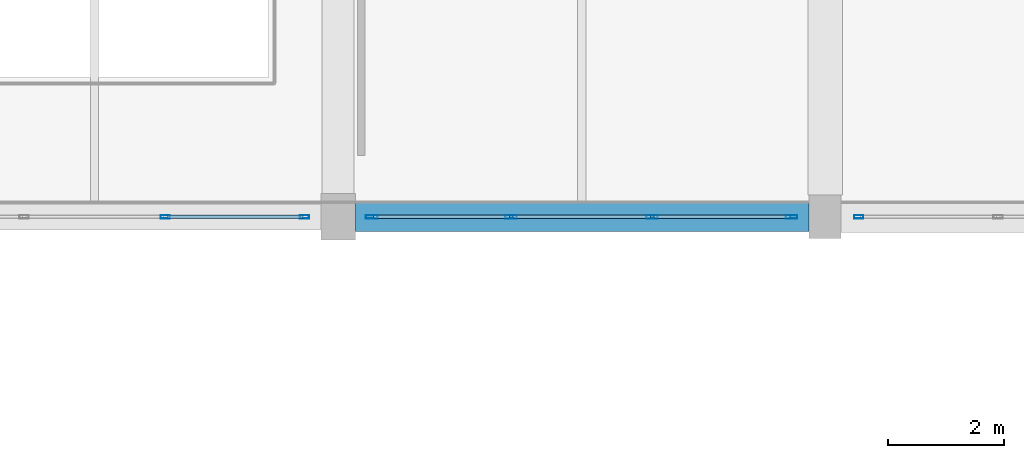
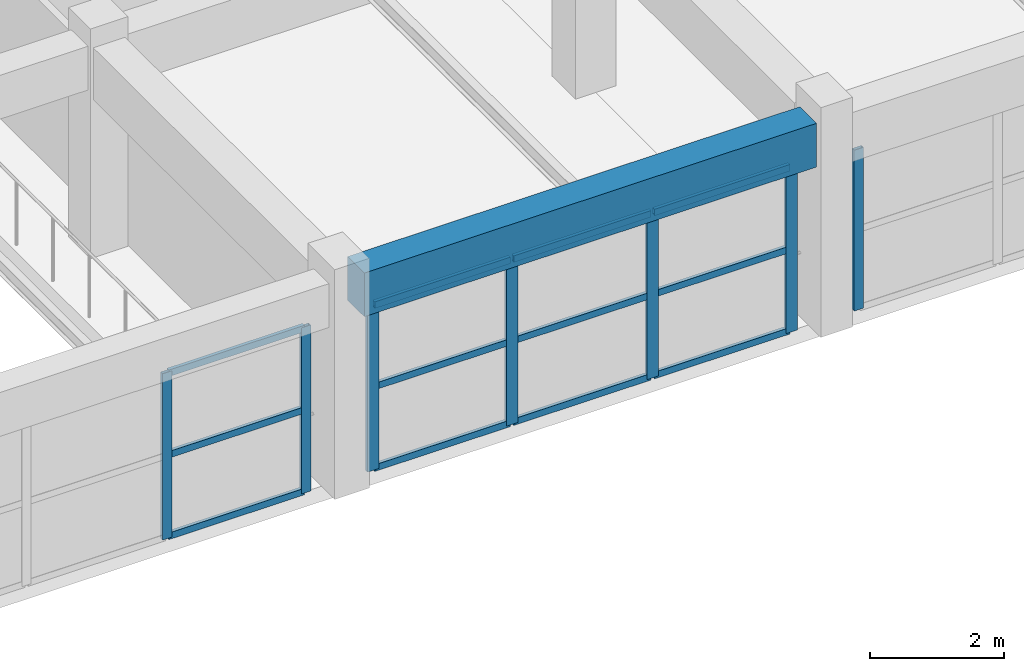
# One storey, part 16 of 71: 19 members, 1 beam, 3 elements without a shape of their own.
"""IFC4 building model written with IfcOpenShell, lengths in metres."""

from ifc_helpers import new_model, si_unit, direction, frame, origin, origin_2d, place, context, subcontext, project, spatial, rectangle, hollow_rectangle, extrude, material, material_profile, profile_set, type_object, element, aggregate, save


model = new_model("IFC4")

# Units and contexts
model_context = context("Model", 3, precision=1e-05, world=origin(), true_north=direction((0.0, 1.0)))
body_context = subcontext(model_context, "Body", "Model", "MODEL_VIEW")
ifc_project = project(units=[si_unit("LENGTHUNIT", "METRE"), si_unit("AREAUNIT", "SQUARE_METRE"), si_unit("VOLUMEUNIT", "CUBIC_METRE"), si_unit("PLANEANGLEUNIT", "RADIAN"), si_unit("MASSUNIT", "GRAM", prefix="KILO")], contexts=[model_context])

# Site, building, storey
site_placement = place(None, origin())
site = spatial("IfcSite", under=ifc_project, at=site_placement, CompositionType="ELEMENT")
building_placement = place(site_placement, origin())
building = spatial("IfcBuilding", under=site, at=building_placement, Name="Korsvaeld Concert Hall", CompositionType="ELEMENT")
storey_placement = place(building_placement, frame((0.0, 0.0, 4.800048828125)))
storey = spatial("IfcBuildingStorey", under=building, at=storey_placement, Name="L01", CompositionType="ELEMENT", Elevation=4.800048828125)

# Beam
ifc_material_1 = material(Name="Concrete C40/50", Category="concrete")
ifc_material_profile_1 = material_profile(ifc_material_1, rectangle(XDim=0.5, YDim=0.800048828125, at=origin_2d()), Name="RC 500x800")
ifc_profile_set_1 = profile_set([ifc_material_profile_1], Name="Concrete C40/50")
beam_type = type_object("IfcBeamType", Name="BM-RC-500x800", PredefinedType="T_BEAM", material=ifc_profile_set_1)
beam_placement = place(storey_placement, frame((75.89990234375, 28.800048828125, 3.43994140625), z_axis=(1.0, 0.0, 0.0), x_axis=(0.0, 1.0, 0.0)))
element("IfcBeam", 1, at=beam_placement, inside=storey, type_object=beam_type, Name="Primary girder 11-12/E L01", PredefinedType="T_BEAM", context=body_context, shape_type="SweptSolid", body=[
    extrude(rectangle(XDim=0.5, YDim=0.800048828125, at=origin_2d()), origin(), (0.0, 0.0, 1.0), 7.8251953125),
])

# Curtain wall, member
ifc_material_2 = material(Name="Anodised bronze and ceramic-fritted safety glass", Category="glass")
curtain_wall_type_1 = type_object("IfcCurtainWallType", Name="CW-TYPE-09", PredefinedType="USERDEFINED", material=ifc_material_2)
curtain_wall_1_placement = place(storey_placement, origin())
curtain_wall_1 = element("IfcCurtainWall", 2, at=curtain_wall_1_placement, inside=storey, type_object=curtain_wall_type_1, Name="Wintergarden foyer curtain wall L01-09", ObjectType="CURTAIN WALL", PredefinedType="USERDEFINED")
ifc_material_3 = material(Name="Anodised architectural bronze aluminium", Category="aluminium")
ifc_material_profile_2 = material_profile(ifc_material_3, hollow_rectangle(XDim=0.06005859375, YDim=0.159912109375, WallThickness=0.00390625, at=origin_2d()), Name="CWM 160x60x4")
ifc_profile_set_2 = profile_set([ifc_material_profile_2], Name="Anodised architectural bronze aluminium")
member_type_1 = type_object("IfcMemberType", Name="CWM-ALUM-160x60", PredefinedType="MULLION", material=ifc_profile_set_2)
member_1_placement = place(storey_placement, frame((84.580078125, 28.800048828125, 0.0), z_axis=(0.0, 0.0, 1.0), x_axis=(0.0, -1.0, 0.0)))
member_1 = element("IfcMember", 3, at=member_1_placement, type_object=member_type_1, Name="CW-09 mullion 4", PredefinedType="MULLION", context=body_context, shape_type="SweptSolid", body=[
    extrude(hollow_rectangle(XDim=0.06005859375, YDim=0.159912109375, WallThickness=0.00390625, at=origin_2d()), origin(), (0.0, 0.0, 1.0), 2.93994140625),
])
aggregate(curtain_wall_1, [member_1])

# Curtain wall, members
curtain_wall_type_2 = type_object("IfcCurtainWallType", Name="CW-TYPE-11", PredefinedType="USERDEFINED", material=ifc_material_2)
curtain_wall_2_placement = place(storey_placement, origin())
curtain_wall_2 = element("IfcCurtainWall", 4, at=curtain_wall_2_placement, inside=storey, type_object=curtain_wall_type_2, Name="Wintergarden foyer curtain wall L01-11", ObjectType="CURTAIN WALL", PredefinedType="USERDEFINED")
member_2_placement = place(storey_placement, frame((75.02001953125, 28.800048828125, 0.0), z_axis=(0.0, 0.0, 1.0), x_axis=(0.0, -1.0, 0.0)))
member_2 = element("IfcMember", 5, at=member_2_placement, type_object=member_type_1, Name="CW-11 mullion 1", PredefinedType="MULLION", context=body_context, shape_type="SweptSolid", body=[
    extrude(hollow_rectangle(XDim=0.06005859375, YDim=0.159912109375, WallThickness=0.00390625, at=origin_2d()), origin(), (0.0, 0.0, 1.0), 3.0400390625),
])
member_3_placement = place(storey_placement, frame((72.61669921875, 28.800048828125, 0.0), z_axis=(0.0, 0.0, 1.0), x_axis=(0.0, -1.0, 0.0)))
member_3 = element("IfcMember", 6, at=member_3_placement, type_object=member_type_1, Name="CW-11 mullion 2", PredefinedType="MULLION", context=body_context, shape_type="SweptSolid", body=[
    extrude(hollow_rectangle(XDim=0.06005859375, YDim=0.159912109375, WallThickness=0.00390625, at=origin_2d()), origin(), (0.0, 0.0, 1.0), 3.0400390625),
])

curtain_wall_type_3 = type_object("IfcCurtainWallType", Name="CW-TYPE-10", PredefinedType="USERDEFINED", material=ifc_material_2)
curtain_wall_3_placement = place(storey_placement, origin())
curtain_wall_3 = element("IfcCurtainWall", 7, at=curtain_wall_3_placement, inside=storey, type_object=curtain_wall_type_3, Name="Wintergarden foyer curtain wall L01-10", ObjectType="CURTAIN WALL", PredefinedType="USERDEFINED")
ifc_material_profile_3 = material_profile(ifc_material_3, hollow_rectangle(XDim=0.06005859375, YDim=0.199951171875, WallThickness=0.0048828125, at=origin_2d()), Name="CWM 200x60x5")
ifc_profile_set_3 = profile_set([ifc_material_profile_3], Name="Anodised architectural bronze aluminium")
member_type_2 = type_object("IfcMemberType", Name="CWM-ALUM-200x60", PredefinedType="MULLION", material=ifc_profile_set_3)
member_4_placement = place(storey_placement, frame((83.419921875, 28.800048828125, 0.0), z_axis=(0.0, 0.0, 1.0), x_axis=(0.0, -1.0, 0.0)))
member_4 = element("IfcMember", 8, at=member_4_placement, type_object=member_type_2, Name="CW-10 mullion 1", PredefinedType="MULLION", context=body_context, shape_type="SweptSolid", body=[
    extrude(hollow_rectangle(XDim=0.06005859375, YDim=0.199951171875, WallThickness=0.0048828125, at=origin_2d()), origin(), (0.0, 0.0, 1.0), 3.0400390625),
])
member_5_placement = place(storey_placement, frame((81.0166015625, 28.800048828125, 0.0), z_axis=(0.0, 0.0, 1.0), x_axis=(0.0, -1.0, 0.0)))
member_5 = element("IfcMember", 9, at=member_5_placement, type_object=member_type_2, Name="CW-10 mullion 2", PredefinedType="MULLION", context=body_context, shape_type="SweptSolid", body=[
    extrude(hollow_rectangle(XDim=0.06005859375, YDim=0.199951171875, WallThickness=0.0048828125, at=origin_2d()), origin(), (0.0, 0.0, 1.0), 3.0400390625),
])
member_6_placement = place(storey_placement, frame((78.583251953125, 28.800048828125, 0.0), z_axis=(0.0, 0.0, 1.0), x_axis=(0.0, -1.0, 0.0)))
member_6 = element("IfcMember", 10, at=member_6_placement, type_object=member_type_2, Name="CW-10 mullion 3", PredefinedType="MULLION", context=body_context, shape_type="SweptSolid", body=[
    extrude(hollow_rectangle(XDim=0.06005859375, YDim=0.199951171875, WallThickness=0.0048828125, at=origin_2d()), origin(), (0.0, 0.0, 1.0), 3.0400390625),
])
member_7_placement = place(storey_placement, frame((76.179931640625, 28.800048828125, 0.0), z_axis=(0.0, 0.0, 1.0), x_axis=(0.0, -1.0, 0.0)))
member_7 = element("IfcMember", 11, at=member_7_placement, type_object=member_type_2, Name="CW-10 mullion 4", PredefinedType="MULLION", context=body_context, shape_type="SweptSolid", body=[
    extrude(hollow_rectangle(XDim=0.06005859375, YDim=0.199951171875, WallThickness=0.0048828125, at=origin_2d()), origin(), (0.0, 0.0, 1.0), 3.0400390625),
])
ifc_material_profile_4 = material_profile(ifc_material_3, hollow_rectangle(XDim=0.06005859375, YDim=0.1201171875, WallThickness=0.00390625, at=origin_2d()), Name="CWT 120x60x4")
ifc_profile_set_4 = profile_set([ifc_material_profile_4], Name="Anodised architectural bronze aluminium")
member_type_3 = type_object("IfcMemberType", Name="CWT-ALUM-120x60", PredefinedType="USERDEFINED", material=ifc_profile_set_4)
member_8_placement = place(storey_placement, frame((83.389892578125, 28.800048828125, 0.030029296875), z_axis=(-1.0, 0.0, 0.0), x_axis=(0.0, -1.0, 0.0)))
member_8 = element("IfcMember", 12, at=member_8_placement, type_object=member_type_3, Name="CW-10 transom 1.1", ObjectType="TRANSOM", PredefinedType="USERDEFINED", context=body_context, shape_type="SweptSolid", body=[
    extrude(hollow_rectangle(XDim=0.06005859375, YDim=0.1201171875, WallThickness=0.00390625, at=origin_2d()), origin(), (0.0, 0.0, 1.0), 2.34326171875),
])
member_9_placement = place(storey_placement, frame((83.389892578125, 28.800048828125, 1.52001953125), z_axis=(-1.0, 0.0, 0.0), x_axis=(0.0, -1.0, 0.0)))
member_9 = element("IfcMember", 13, at=member_9_placement, type_object=member_type_3, Name="CW-10 transom 1.2", ObjectType="TRANSOM", PredefinedType="USERDEFINED", context=body_context, shape_type="SweptSolid", body=[
    extrude(hollow_rectangle(XDim=0.06005859375, YDim=0.1201171875, WallThickness=0.00390625, at=origin_2d()), origin(), (0.0, 0.0, 1.0), 2.34326171875),
])
member_10_placement = place(storey_placement, frame((83.389892578125, 28.800048828125, 3.010009765625), z_axis=(-1.0, 0.0, 0.0), x_axis=(0.0, -1.0, 0.0)))
member_10 = element("IfcMember", 14, at=member_10_placement, type_object=member_type_3, Name="CW-10 transom 1.3", ObjectType="TRANSOM", PredefinedType="USERDEFINED", context=body_context, shape_type="SweptSolid", body=[
    extrude(hollow_rectangle(XDim=0.06005859375, YDim=0.1201171875, WallThickness=0.00390625, at=origin_2d()), origin(), (0.0, 0.0, 1.0), 2.34326171875),
])
member_11_placement = place(storey_placement, frame((80.986572265625, 28.800048828125, 0.030029296875), z_axis=(-1.0, 0.0, 0.0), x_axis=(0.0, -1.0, 0.0)))
member_11 = element("IfcMember", 15, at=member_11_placement, type_object=member_type_3, Name="CW-10 transom 2.1", ObjectType="TRANSOM", PredefinedType="USERDEFINED", context=body_context, shape_type="SweptSolid", body=[
    extrude(hollow_rectangle(XDim=0.06005859375, YDim=0.1201171875, WallThickness=0.00390625, at=origin_2d()), origin(), (0.0, 0.0, 1.0), 2.373291015625),
])
member_12_placement = place(storey_placement, frame((80.986572265625, 28.800048828125, 1.52001953125), z_axis=(-1.0, 0.0, 0.0), x_axis=(0.0, -1.0, 0.0)))
member_12 = element("IfcMember", 16, at=member_12_placement, type_object=member_type_3, Name="CW-10 transom 2.2", ObjectType="TRANSOM", PredefinedType="USERDEFINED", context=body_context, shape_type="SweptSolid", body=[
    extrude(hollow_rectangle(XDim=0.06005859375, YDim=0.1201171875, WallThickness=0.00390625, at=origin_2d()), origin(), (0.0, 0.0, 1.0), 2.373291015625),
])
member_13_placement = place(storey_placement, frame((80.986572265625, 28.800048828125, 3.010009765625), z_axis=(-1.0, 0.0, 0.0), x_axis=(0.0, -1.0, 0.0)))
member_13 = element("IfcMember", 17, at=member_13_placement, type_object=member_type_3, Name="CW-10 transom 2.3", ObjectType="TRANSOM", PredefinedType="USERDEFINED", context=body_context, shape_type="SweptSolid", body=[
    extrude(hollow_rectangle(XDim=0.06005859375, YDim=0.1201171875, WallThickness=0.00390625, at=origin_2d()), origin(), (0.0, 0.0, 1.0), 2.373291015625),
])
member_14_placement = place(storey_placement, frame((78.55322265625, 28.800048828125, 0.030029296875), z_axis=(-1.0, 0.0, 0.0), x_axis=(0.0, -1.0, 0.0)))
member_14 = element("IfcMember", 18, at=member_14_placement, type_object=member_type_3, Name="CW-10 transom 3.1", ObjectType="TRANSOM", PredefinedType="USERDEFINED", context=body_context, shape_type="SweptSolid", body=[
    extrude(hollow_rectangle(XDim=0.06005859375, YDim=0.1201171875, WallThickness=0.00390625, at=origin_2d()), origin(), (0.0, 0.0, 1.0), 2.34326171875),
])
member_15_placement = place(storey_placement, frame((78.55322265625, 28.800048828125, 1.52001953125), z_axis=(-1.0, 0.0, 0.0), x_axis=(0.0, -1.0, 0.0)))
member_15 = element("IfcMember", 19, at=member_15_placement, type_object=member_type_3, Name="CW-10 transom 3.2", ObjectType="TRANSOM", PredefinedType="USERDEFINED", context=body_context, shape_type="SweptSolid", body=[
    extrude(hollow_rectangle(XDim=0.06005859375, YDim=0.1201171875, WallThickness=0.00390625, at=origin_2d()), origin(), (0.0, 0.0, 1.0), 2.34326171875),
])
member_16_placement = place(storey_placement, frame((78.55322265625, 28.800048828125, 3.010009765625), z_axis=(-1.0, 0.0, 0.0), x_axis=(0.0, -1.0, 0.0)))
member_16 = element("IfcMember", 20, at=member_16_placement, type_object=member_type_3, Name="CW-10 transom 3.3", ObjectType="TRANSOM", PredefinedType="USERDEFINED", context=body_context, shape_type="SweptSolid", body=[
    extrude(hollow_rectangle(XDim=0.06005859375, YDim=0.1201171875, WallThickness=0.00390625, at=origin_2d()), origin(), (0.0, 0.0, 1.0), 2.34326171875),
])
aggregate(curtain_wall_3, [member_4, member_5, member_6, member_7, member_8, member_9, member_10, member_11, member_12, member_13, member_14, member_15, member_16])

# Member
member_17_placement = place(storey_placement, frame((74.989990234375, 28.800048828125, 0.030029296875), z_axis=(-1.0, 0.0, 0.0), x_axis=(0.0, -1.0, 0.0)))
member_17 = element("IfcMember", 21, at=member_17_placement, type_object=member_type_3, Name="CW-11 transom 1.1", ObjectType="TRANSOM", PredefinedType="USERDEFINED", context=body_context, shape_type="SweptSolid", body=[
    extrude(hollow_rectangle(XDim=0.06005859375, YDim=0.1201171875, WallThickness=0.00390625, at=origin_2d()), origin(), (0.0, 0.0, 1.0), 2.34326171875),
])

member_18_placement = place(storey_placement, frame((74.989990234375, 28.800048828125, 1.52001953125), z_axis=(-1.0, 0.0, 0.0), x_axis=(0.0, -1.0, 0.0)))
member_18 = element("IfcMember", 22, at=member_18_placement, type_object=member_type_3, Name="CW-11 transom 1.2", ObjectType="TRANSOM", PredefinedType="USERDEFINED", context=body_context, shape_type="SweptSolid", body=[
    extrude(hollow_rectangle(XDim=0.06005859375, YDim=0.1201171875, WallThickness=0.00390625, at=origin_2d()), origin(), (0.0, 0.0, 1.0), 2.34326171875),
])

member_19_placement = place(storey_placement, frame((74.989990234375, 28.800048828125, 3.010009765625), z_axis=(-1.0, 0.0, 0.0), x_axis=(0.0, -1.0, 0.0)))
member_19 = element("IfcMember", 23, at=member_19_placement, type_object=member_type_3, Name="CW-11 transom 1.3", ObjectType="TRANSOM", PredefinedType="USERDEFINED", context=body_context, shape_type="SweptSolid", body=[
    extrude(hollow_rectangle(XDim=0.06005859375, YDim=0.1201171875, WallThickness=0.00390625, at=origin_2d()), origin(), (0.0, 0.0, 1.0), 2.34326171875),
])

aggregate(curtain_wall_2, [member_2, member_3, member_17, member_18, member_19])

save(model, "model.ifc")
